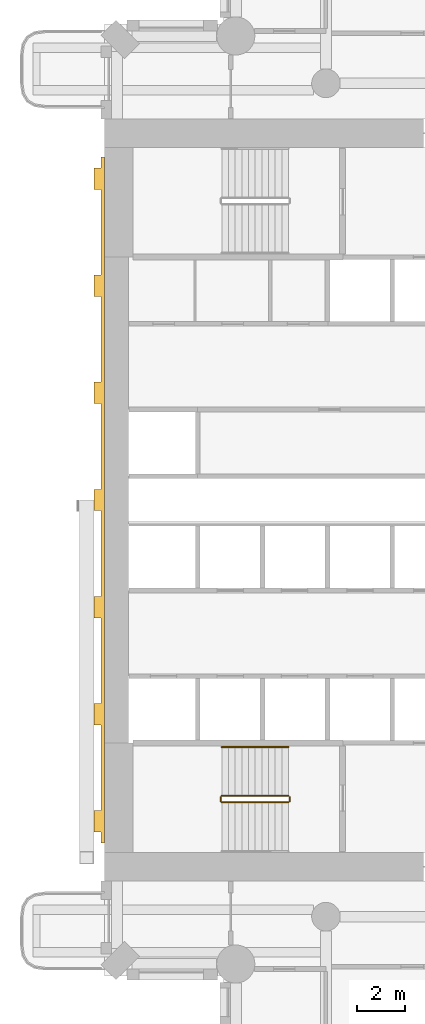
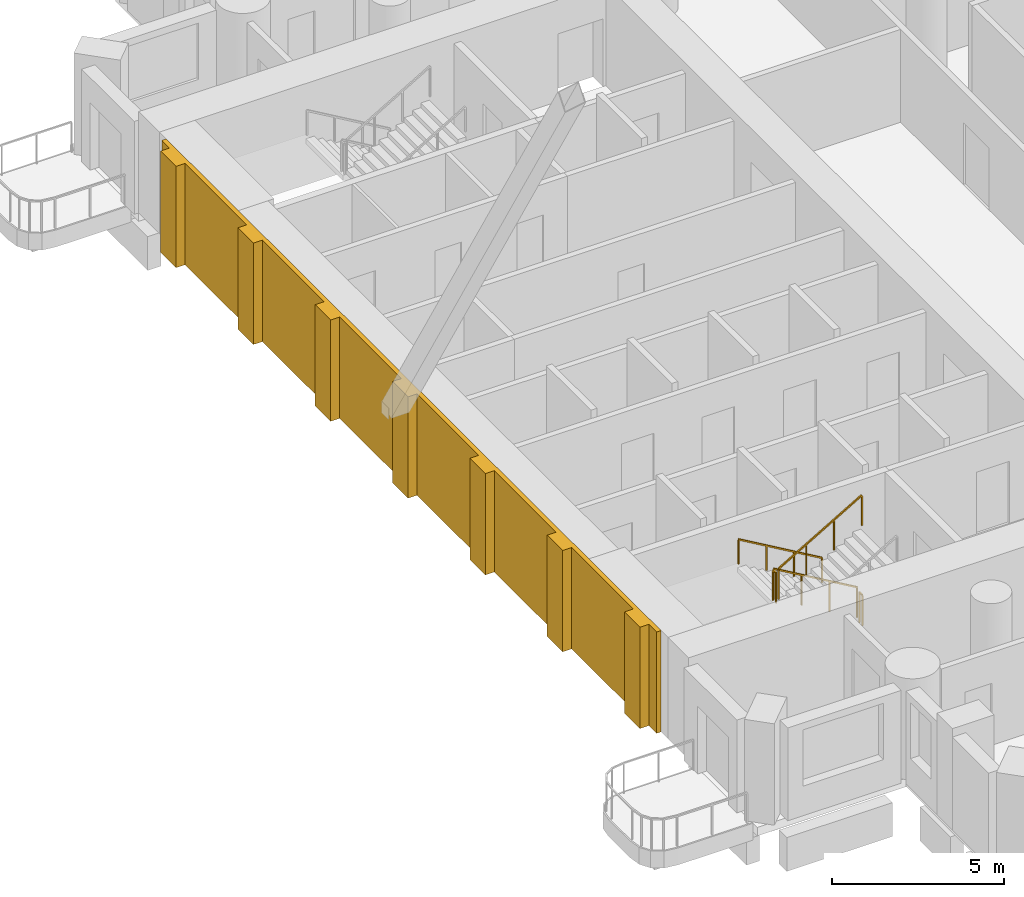
# One storey, part 14 of 20: 5 railings, 1 covering.
"""IFC4 building model written with IfcOpenShell, lengths in metres."""

from ifc_helpers import new_model, si_unit, direction, frame, origin, origin_2d, place, context, subcontext, project, spatial, polyline, rectangle, outline, extrude, material, layer, layer_set, type_object, element, save


model = new_model("IFC4")

# Units and contexts
model_context = context("Model", 3, precision=1e-05, world=origin(), true_north=direction((0.0, 1.0)))
body_context = subcontext(model_context, "Body", "Model", "MODEL_VIEW")
ifc_project = project(units=[si_unit("LENGTHUNIT", "METRE"), si_unit("AREAUNIT", "SQUARE_METRE"), si_unit("VOLUMEUNIT", "CUBIC_METRE"), si_unit("PLANEANGLEUNIT", "RADIAN"), si_unit("MASSUNIT", "GRAM", prefix="KILO")], contexts=[model_context])

# Site, building, storey
site_placement = place(None, origin())
site = spatial("IfcSite", under=ifc_project, at=site_placement, CompositionType="ELEMENT")
building_placement = place(site_placement, origin())
building = spatial("IfcBuilding", under=site, at=building_placement, Name="Cypress Arch Tower", CompositionType="ELEMENT")
storey_placement = place(building_placement, frame((0.0, 0.0, 73.5)))
storey = spatial("IfcBuildingStorey", under=building, at=storey_placement, Name="L12", CompositionType="ELEMENT", Elevation=73.5)

# Railings
ifc_material_1 = material(Name="Black powder-coated steel square bar 48 mm", Category="steel")
railing_type_1 = type_object("IfcRailingType", Name="Stair handrail HR1", PredefinedType="HANDRAIL", material=ifc_material_1)
railing_1_placement = place(storey_placement, frame((-22.27490234375, -10.375, 0.16357421875)))
element("IfcRailing", 1, at=railing_1_placement, inside=storey, type_object=railing_type_1, Name="L12 A stair handrail 1", PredefinedType="HANDRAIL", context=body_context, shape_type="SweptSolid", body=[
    extrude(rectangle(XDim=0.048095703125, YDim=0.048095703125, at=origin_2d()), frame((0.0, 0.0, 0.8759765625), z_axis=(-0.863360870873, 0.0, 0.504586966384), x_axis=(0.0, -1.0, 0.0)), (0.0, 0.0, 1.0), 3.2431640625),
    extrude(rectangle(XDim=0.0419921875, YDim=0.0419921875, at=origin_2d()), origin(), (0.0, 0.0, 1.0), 0.851806640625),
    extrude(rectangle(XDim=0.0419921875, YDim=0.0419921875, at=origin_2d()), frame((-0.933349609375, 0.0, 0.54541015625)), (0.0, 0.0, 1.0), 0.851806640625),
    extrude(rectangle(XDim=0.0419921875, YDim=0.0419921875, at=origin_2d()), frame((-1.86669921875, 0.0, 1.091064453125)), (0.0, 0.0, 1.0), 0.851806640625),
    extrude(rectangle(XDim=0.0419921875, YDim=0.0419921875, at=origin_2d()), frame((-2.800048828125, 0.0, 1.636474609375)), (0.0, 0.0, 1.0), 0.851806640625),
])
ifc_material_2 = material(Name="Black powder-coated steel balusters", Category="steel")
railing_type_2 = type_object("IfcRailingType", Name="Stair well guard G1", PredefinedType="GUARDRAIL", material=ifc_material_2)
railing_2_placement = place(storey_placement, frame((-22.27490234375, -12.425048828125, 0.16357421875)))
element("IfcRailing", 2, at=railing_2_placement, inside=storey, type_object=railing_type_2, Name="L12 A stair guard 1", PredefinedType="GUARDRAIL", context=body_context, shape_type="SweptSolid", body=[
    extrude(rectangle(XDim=0.048095703125, YDim=0.048095703125, at=origin_2d()), frame((0.0, 0.0, 1.076171875), z_axis=(-0.863360870873, 0.0, 0.504586966384), x_axis=(0.0, -1.0, 0.0)), (0.0, 0.0, 1.0), 3.2431640625),
    extrude(rectangle(XDim=0.0419921875, YDim=0.0419921875, at=origin_2d()), origin(), (0.0, 0.0, 1.0), 1.052001953125),
    extrude(rectangle(XDim=0.0419921875, YDim=0.0419921875, at=origin_2d()), frame((-0.933349609375, 0.0, 0.54541015625)), (0.0, 0.0, 1.0), 1.052001953125),
    extrude(rectangle(XDim=0.0419921875, YDim=0.0419921875, at=origin_2d()), frame((-1.86669921875, 0.0, 1.091064453125)), (0.0, 0.0, 1.0), 1.052001953125),
    extrude(rectangle(XDim=0.0419921875, YDim=0.0419921875, at=origin_2d()), frame((-2.800048828125, 0.0, 1.636474609375)), (0.0, 0.0, 1.0), 1.052001953125),
])
railing_3_placement = place(storey_placement, frame((-25.125, -12.47509765625, 1.800048828125)))
element("IfcRailing", 3, at=railing_3_placement, inside=storey, type_object=railing_type_2, Name="L12 A stair guard 2", PredefinedType="GUARDRAIL", context=body_context, shape_type="SweptSolid", body=[
    extrude(rectangle(XDim=0.048095703125, YDim=0.048095703125, at=origin_2d()), frame((0.0, 0.0, 1.076171875), z_axis=(0.0, -1.0, 0.0), x_axis=(1.0, 0.0, 0.0)), (0.0, 0.0, 1.0), 0.1748046875),
    extrude(rectangle(XDim=0.0419921875, YDim=0.0419921875, at=origin_2d()), origin(), (0.0, 0.0, 1.0), 1.052001953125),
    extrude(rectangle(XDim=0.0419921875, YDim=0.0419921875, at=origin_2d()), frame((0.0, -0.1748046875, 0.0)), (0.0, 0.0, 1.0), 1.052001953125),
])
railing_4_placement = place(storey_placement, frame((-25.074951171875, -12.699951171875, 1.963623046875)))
element("IfcRailing", 4, at=railing_4_placement, inside=storey, type_object=railing_type_2, Name="L12 A stair guard 3", PredefinedType="GUARDRAIL", context=body_context, shape_type="SweptSolid", body=[
    extrude(rectangle(XDim=0.048095703125, YDim=0.048095703125, at=origin_2d()), frame((0.0, 0.0, 1.076171875), z_axis=(0.863360870873, 0.0, 0.504586966384), x_axis=(0.0, 1.0, 0.0)), (0.0, 0.0, 1.0), 3.2431640625),
    extrude(rectangle(XDim=0.0419921875, YDim=0.0419921875, at=origin_2d()), origin(), (0.0, 0.0, 1.0), 1.052001953125),
    extrude(rectangle(XDim=0.0419921875, YDim=0.0419921875, at=origin_2d()), frame((0.933349609375, 0.0, 0.54541015625)), (0.0, 0.0, 1.0), 1.052001953125),
    extrude(rectangle(XDim=0.0419921875, YDim=0.0419921875, at=origin_2d()), frame((1.86669921875, 0.0, 1.091064453125)), (0.0, 0.0, 1.0), 1.052001953125),
    extrude(rectangle(XDim=0.0419921875, YDim=0.0419921875, at=origin_2d()), frame((2.800048828125, 0.0, 1.636474609375)), (0.0, 0.0, 1.0), 1.052001953125),
])
railing_5_placement = place(storey_placement, frame((-22.22509765625, -12.47509765625, 0.0)))
element("IfcRailing", 5, at=railing_5_placement, inside=storey, type_object=railing_type_2, Name="L12 A stair guard 4", PredefinedType="GUARDRAIL", context=body_context, shape_type="SweptSolid", body=[
    extrude(rectangle(XDim=0.048095703125, YDim=0.048095703125, at=origin_2d()), frame((0.0, 0.0, 1.076171875), z_axis=(0.0, -1.0, 0.0), x_axis=(1.0, 0.0, 0.0)), (0.0, 0.0, 1.0), 0.1748046875),
    extrude(rectangle(XDim=0.0419921875, YDim=0.0419921875, at=origin_2d()), origin(), (0.0, 0.0, 1.0), 1.052001953125),
    extrude(rectangle(XDim=0.0419921875, YDim=0.0419921875, at=origin_2d()), frame((0.0, -0.1748046875, 0.0)), (0.0, 0.0, 1.0), 1.052001953125),
])

# Covering
ifc_material_3 = material(Name="Brick (red buff blend)", Category="masonry")
ifc_layer = layer(ifc_material_3, 0.449951171875)
ifc_layer_set = layer_set([ifc_layer], Name="West face brick piers WP450")
covering_type = type_object("IfcCoveringType", Name="West face brick piers WP450", PredefinedType="CLADDING", material=ifc_layer_set)
covering_placement = place(storey_placement, origin())
element("IfcCovering", 6, at=covering_placement, inside=storey, type_object=covering_type, Name="West face brick piers L12", PredefinedType="CLADDING", context=body_context, shape_type="SweptSolid", body=[
    extrude(outline(polyline([(-30.14990234375, -13.050048828125), (-30.14990234375, -9.449951171875), (-30.449951171875, -9.449951171875), (-30.449951171875, -8.550048828125), (-30.14990234375, -8.550048828125), (-30.14990234375, -4.949951171875), (-30.449951171875, -4.949951171875), (-30.449951171875, -4.050048828125), (-30.14990234375, -4.050048828125), (-30.14990234375, -0.449951171875), (-30.449951171875, -0.449951171875), (-30.449951171875, 0.449951171875), (-30.14990234375, 0.449951171875), (-30.14990234375, 4.050048828125), (-30.449951171875, 4.050048828125), (-30.449951171875, 4.949951171875), (-30.14990234375, 4.949951171875), (-30.14990234375, 8.550048828125), (-30.449951171875, 8.550048828125), (-30.449951171875, 9.449951171875), (-30.14990234375, 9.449951171875), (-30.14990234375, 13.050048828125), (-30.449951171875, 13.050048828125), (-30.449951171875, 13.949951171875), (-30.14990234375, 13.949951171875), (-30.14990234375, 14.39990234375), (-30.0, 14.39990234375), (-30.0, -14.39990234375), (-30.14990234375, -14.39990234375), (-30.14990234375, -13.949951171875), (-30.449951171875, -13.949951171875), (-30.449951171875, -13.050048828125), (-30.14990234375, -13.050048828125)])), origin(), (0.0, 0.0, 1.0), 3.60009765625),
])

save(model, "model.ifc")
